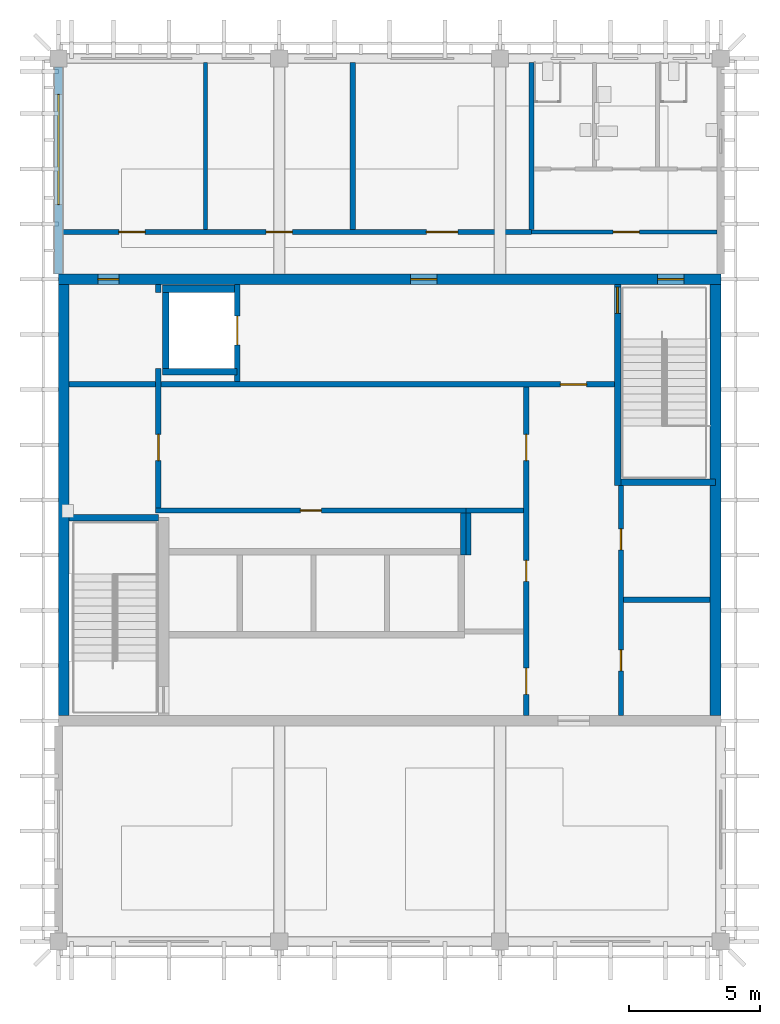
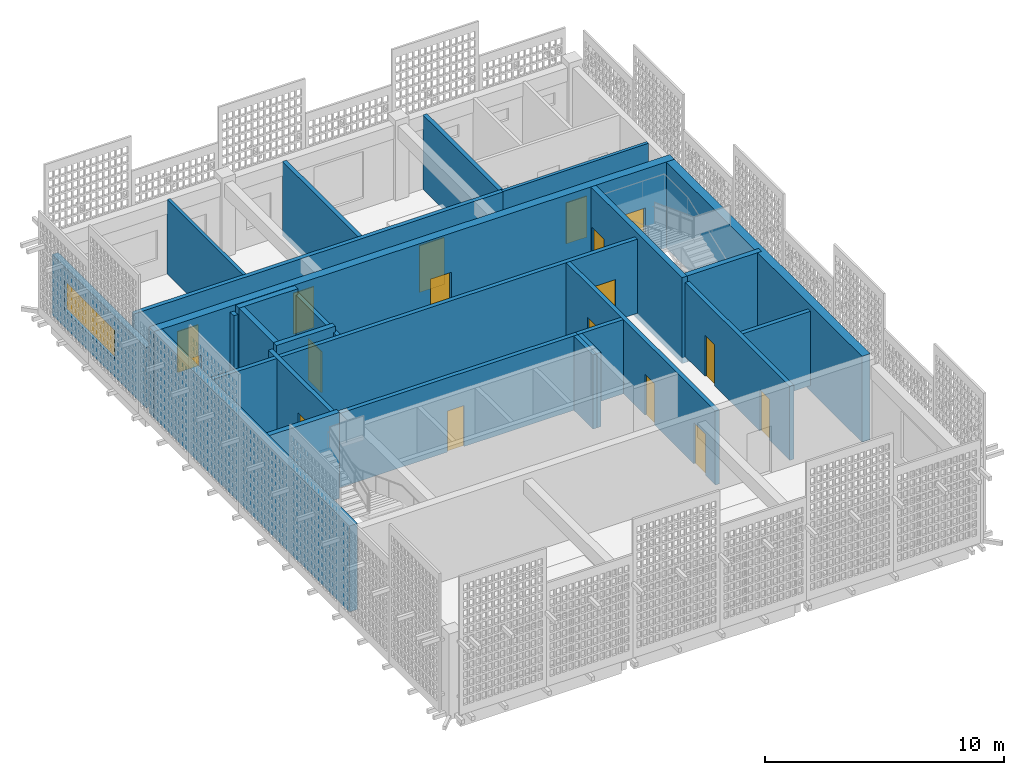
# One storey, part 2 of 23: 26 walls, 17 doors, 1 window, 18 openings.
"""IFC4 building model written with IfcOpenShell, lengths in metres."""

from ifc_helpers import new_model, si_unit, direction, frame, frame_2d, origin, place, context, subcontext, project, spatial, rectangle, extrude, material, layer, layer_set, type_object, element, fill, save


model = new_model("IFC4")

# Units and contexts
model_context = context("Model", 3, precision=1e-05, world=origin(), true_north=direction((0.0, 1.0)))
body_context = subcontext(model_context, "Body", "Model", "MODEL_VIEW")
ifc_project = project(units=[si_unit("LENGTHUNIT", "METRE"), si_unit("AREAUNIT", "SQUARE_METRE"), si_unit("VOLUMEUNIT", "CUBIC_METRE"), si_unit("PLANEANGLEUNIT", "RADIAN"), si_unit("MASSUNIT", "GRAM", prefix="KILO")], contexts=[model_context])

# Site, building, storey
site_placement = place(None, origin())
site = spatial("IfcSite", under=ifc_project, at=site_placement, CompositionType="ELEMENT")
building_placement = place(site_placement, origin())
building = spatial("IfcBuilding", under=site, at=building_placement, Name="Rulbaag Community and Learning Centre", CompositionType="ELEMENT")
storey_placement = place(building_placement, frame((0.0, 0.0, 64.800048828125)))
storey = spatial("IfcBuildingStorey", under=building, at=storey_placement, Name="L17", CompositionType="ELEMENT", Elevation=64.800048828125)

# Wall, opening, window
ifc_material_1 = material(Name="Concrete M40", Category="concrete")
ifc_layer_1 = layer(ifc_material_1, 0.300048828125)
ifc_layer_set_1 = layer_set([ifc_layer_1], Name="EW-CONC300-120")
wall_type_1 = type_object("IfcWallType", Name="EW-CONC300-120", PredefinedType="STANDARD", material=ifc_layer_set_1)
wall_1_placement = place(storey_placement, frame((142.800048828125, 109.39990234375, 0.0), z_axis=(0.0, 0.0, 1.0), x_axis=(0.0, 1.0, 0.0)))
wall_1 = element("IfcWall", 1, at=wall_1_placement, inside=storey, type_object=wall_type_1, Name="Board-marked concrete cladding wall BW", PredefinedType="STANDARD", context=body_context, shape_type="SweptSolid", body=[
    extrude(rectangle(XDim=7.875, YDim=0.300048828125, at=frame_2d((3.9375, 0.0))), origin(), (0.0, 0.0, 1.0), 3.099853515625),
])
opening_1_placement = place(wall_1_placement, frame((2.637451171875, 0.0, 0.89990234375)))
opening_1 = element("IfcOpeningElement", 2, at=opening_1_placement, cuts=wall_1, Name="Opening WN4", PredefinedType="OPENING", context=body_context, shape_type="SweptSolid", body=[
    extrude(rectangle(XDim=4.199951171875, YDim=1.5, at=frame_2d((2.10009765625, 0.75))), frame((0.0, 0.159912109375, 0.0), z_axis=(0.0, -1.0, 0.0), x_axis=(1.0, 0.0, 0.0)), (0.0, 0.0, 1.0), 0.320068359375),
])
ifc_material_2 = material(Name="Aluminium", Category="aluminium")
window_type = type_object("IfcWindowType", Name="WN-42", PartitioningType="TRIPLE_PANEL_VERTICAL", PredefinedType="WINDOW", material=ifc_material_2)
window_placement = place(opening_1_placement, origin())
window = element("IfcWindow", 3, at=window_placement, inside=storey, type_object=window_type, Name="Window WN4", OverallHeight=1.5, OverallWidth=4.199951171875, PartitioningType="SINGLE_PANEL", PredefinedType="WINDOW", context=body_context, shape_type="SweptSolid", body=[
    extrude(rectangle(XDim=4.199951171875, YDim=1.5, at=frame_2d((2.10009765625, 0.75))), frame((0.0, 0.030029296875, 0.0), z_axis=(0.0, -1.0, 0.0), x_axis=(1.0, 0.0, 0.0)), (0.0, 0.0, 1.0), 0.06005859375),
])
fill(opening_1, window)

# Wall
ifc_material_3 = material(Name="Concrete blockwork", Category="masonry")
ifc_layer_2 = layer(ifc_material_3, 0.199951171875)
ifc_layer_set_2 = layer_set([ifc_layer_2], Name="FW-200 FIRE WALL 200")
wall_type_2 = type_object("IfcWallType", Name="FW-200 FIRE WALL 200", PredefinedType="SOLIDWALL", material=ifc_layer_set_2)
wall_2_placement = place(storey_placement, frame((164.300048828125, 97.0, 0.0), z_axis=(0.0, 0.0, 1.0), x_axis=(1.0, 0.0, 0.0)))
element("IfcWall", 4, at=wall_2_placement, inside=storey, type_object=wall_type_2, Name="Fire wall L17 3", PredefinedType="SOLIDWALL", context=body_context, shape_type="SweptSolid", body=[
    extrude(rectangle(XDim=3.300048828125, YDim=0.199951171875, at=frame_2d((1.64990234375, 0.0))), origin(), (0.0, 0.0, 1.0), 3.800048828125),
])

# Wall, opening, door
wall_3_placement = place(storey_placement, frame((146.5, 100.39990234375, 0.0), z_axis=(0.0, 0.0, 1.0), x_axis=(1.0, 0.0, 0.0)))
wall_3 = element("IfcWall", 5, at=wall_3_placement, inside=storey, type_object=wall_type_2, Name="Fire wall L17 5", PredefinedType="SOLIDWALL", context=body_context, shape_type="SweptSolid", body=[
    extrude(rectangle(XDim=11.800048828125, YDim=0.199951171875, at=frame_2d((5.89990234375, 0.0))), origin(), (0.0, 0.0, 1.0), 3.800048828125),
])
opening_2_placement = place(wall_3_placement, frame((5.5, 0.0, 0.0)))
opening_2 = element("IfcOpeningElement", 6, at=opening_2_placement, cuts=wall_3, Name="Opening L17-D007", PredefinedType="OPENING", context=body_context, shape_type="SweptSolid", body=[
    extrude(rectangle(XDim=0.800048828125, YDim=2.10009765625, at=frame_2d((0.39990234375, 1.050048828125))), frame((0.0, 0.10986328125, 0.0), z_axis=(0.0, -1.0, 0.0), x_axis=(1.0, 0.0, 0.0)), (0.0, 0.0, 1.0), 0.219970703125),
])
ifc_material_4 = material(Name="Galvanised steel", Category="steel")
door_type_1 = type_object("IfcDoorType", Name="FDR-800 RISER FIRE DOOR 800 x 2100", OperationType="SINGLE_SWING_LEFT", PredefinedType="DOOR", material=ifc_material_4)
door_1_placement = place(opening_2_placement, origin())
door_1 = element("IfcDoor", 7, at=door_1_placement, inside=storey, type_object=door_type_1, Name="Riser door L17-D015", OperationType="SINGLE_SWING_LEFT", OverallHeight=2.10009765625, OverallWidth=0.800048828125, PredefinedType="DOOR", context=body_context, shape_type="SweptSolid", body=[
    extrude(rectangle(XDim=0.800048828125, YDim=2.10009765625, at=frame_2d((0.39990234375, 1.050048828125))), frame((0.0, 0.02490234375, 0.0), z_axis=(0.0, -1.0, 0.0), x_axis=(1.0, 0.0, 0.0)), (0.0, 0.0, 1.0), 0.050048828125),
])
fill(opening_2, door_1)

# Wall
wall_4_placement = place(storey_placement, frame((158.300048828125, 100.39990234375, 0.0), z_axis=(0.0, 0.0, 1.0), x_axis=(1.0, 0.0, 0.0)))
element("IfcWall", 8, at=wall_4_placement, inside=storey, type_object=wall_type_2, Name="Fire wall L17 6", PredefinedType="SOLIDWALL", context=body_context, shape_type="SweptSolid", body=[
    extrude(rectangle(XDim=2.199951171875, YDim=0.199951171875, at=frame_2d((1.10009765625, 0.0))), origin(), (0.0, 0.0, 1.0), 3.800048828125),
])

# Wall, opening, door
wall_5_placement = place(storey_placement, frame((143.199951171875, 105.199951171875, 0.0), z_axis=(0.0, 0.0, 1.0), x_axis=(1.0, 0.0, 0.0)))
wall_5 = element("IfcWall", 9, at=wall_5_placement, inside=storey, type_object=wall_type_2, Name="Fire wall L17 7", PredefinedType="SOLIDWALL", context=body_context, shape_type="SweptSolid", body=[
    extrude(rectangle(XDim=20.75, YDim=0.199951171875, at=frame_2d((10.375, 0.0))), origin(), (0.0, 0.0, 1.0), 3.800048828125),
])
opening_3_placement = place(wall_5_placement, frame((18.699951171875, 0.0, 0.0)))
opening_3 = element("IfcOpeningElement", 10, at=opening_3_placement, cuts=wall_5, Name="Opening L17-D016", PredefinedType="OPENING", context=body_context, shape_type="SweptSolid", body=[
    extrude(rectangle(XDim=1.0, YDim=2.10009765625, at=frame_2d((0.5, 1.050048828125))), frame((0.0, 0.10986328125, 0.0), z_axis=(0.0, -1.0, 0.0), x_axis=(1.0, 0.0, 0.0)), (0.0, 0.0, 1.0), 0.219970703125),
])
door_type_2 = type_object("IfcDoorType", Name="FD-1000 FIRE DOOR 1000 x 2100", OperationType="SINGLE_SWING_LEFT", PredefinedType="DOOR", material=ifc_material_4)
door_2_placement = place(opening_3_placement, origin())
door_2 = element("IfcDoor", 11, at=door_2_placement, inside=storey, type_object=door_type_2, Name="Door L17-D016", OperationType="SINGLE_SWING_LEFT", OverallHeight=2.10009765625, OverallWidth=1.0, PredefinedType="DOOR", context=body_context, shape_type="SweptSolid", body=[
    extrude(rectangle(XDim=1.0, YDim=2.10009765625, at=frame_2d((0.5, 1.050048828125))), frame((0.0, 0.02490234375, 0.0), z_axis=(0.0, -1.0, 0.0), x_axis=(1.0, 0.0, 0.0)), (0.0, 0.0, 1.0), 0.050048828125),
])
fill(opening_3, door_2)

# Wall, openings, doors
wall_6_placement = place(storey_placement, frame((142.949951171875, 111.0, 0.0), z_axis=(0.0, 0.0, 1.0), x_axis=(1.0, 0.0, 0.0)))
wall_6 = element("IfcWall", 12, at=wall_6_placement, inside=storey, type_object=wall_type_2, Name="Fire wall L17 8", PredefinedType="SOLIDWALL", context=body_context, shape_type="SweptSolid", body=[
    extrude(rectangle(XDim=17.85009765625, YDim=0.199951171875, at=frame_2d((8.925048828125, 0.0))), origin(), (0.0, 0.0, 1.0), 3.800048828125),
])
opening_4_placement = place(wall_6_placement, frame((2.14990234375, 0.0, 0.0)))
opening_4 = element("IfcOpeningElement", 13, at=opening_4_placement, cuts=wall_6, Name="Opening L17-D002", PredefinedType="OPENING", context=body_context, shape_type="SweptSolid", body=[
    extrude(rectangle(XDim=1.0, YDim=2.10009765625, at=frame_2d((0.5, 1.050048828125))), frame((0.0, 0.10986328125, 0.0), z_axis=(0.0, -1.0, 0.0), x_axis=(1.0, 0.0, 0.0)), (0.0, 0.0, 1.0), 0.219970703125),
])
opening_5_placement = place(wall_6_placement, frame((7.75, 0.0, 0.0)))
opening_5 = element("IfcOpeningElement", 14, at=opening_5_placement, cuts=wall_6, Name="Opening L17-D006", PredefinedType="OPENING", context=body_context, shape_type="SweptSolid", body=[
    extrude(rectangle(XDim=1.0, YDim=2.10009765625, at=frame_2d((0.5, 1.050048828125))), frame((0.0, 0.10986328125, 0.0), z_axis=(0.0, -1.0, 0.0), x_axis=(1.0, 0.0, 0.0)), (0.0, 0.0, 1.0), 0.219970703125),
])
opening_6_placement = place(wall_6_placement, frame((13.85009765625, 0.0, 0.0)))
opening_6 = element("IfcOpeningElement", 15, at=opening_6_placement, cuts=wall_6, Name="Opening L17-D009", PredefinedType="OPENING", context=body_context, shape_type="SweptSolid", body=[
    extrude(rectangle(XDim=1.199951171875, YDim=2.39990234375, at=frame_2d((0.60009765625, 1.199951171875))), frame((0.0, 0.10986328125, 0.0), z_axis=(0.0, -1.0, 0.0), x_axis=(1.0, 0.0, 0.0)), (0.0, 0.0, 1.0), 0.219970703125),
])
door_type_3 = type_object("IfcDoorType", Name="DP-1200 PLANT ROOM DOOR 1200 x 2400", OperationType="SINGLE_SWING_LEFT", PredefinedType="DOOR", material=ifc_material_4)
door_3_placement = place(opening_6_placement, origin())
door_3 = element("IfcDoor", 16, at=door_3_placement, inside=storey, type_object=door_type_3, Name="Door L17-D009", OperationType="SINGLE_SWING_LEFT", OverallHeight=2.39990234375, OverallWidth=1.199951171875, PredefinedType="DOOR", context=body_context, shape_type="SweptSolid", body=[
    extrude(rectangle(XDim=1.199951171875, YDim=2.39990234375, at=frame_2d((0.60009765625, 1.199951171875))), frame((0.0, 0.02490234375, 0.0), z_axis=(0.0, -1.0, 0.0), x_axis=(1.0, 0.0, 0.0)), (0.0, 0.0, 1.0), 0.050048828125),
])
fill(opening_6, door_3)
door_4_placement = place(opening_4_placement, origin())
door_4 = element("IfcDoor", 17, at=door_4_placement, inside=storey, type_object=door_type_2, Name="Door L17-D002", OperationType="SINGLE_SWING_RIGHT", OverallHeight=2.10009765625, OverallWidth=1.0, PredefinedType="DOOR", context=body_context, shape_type="SweptSolid", body=[
    extrude(rectangle(XDim=1.0, YDim=2.10009765625, at=frame_2d((0.5, 1.050048828125))), frame((0.0, 0.02490234375, 0.0), z_axis=(0.0, -1.0, 0.0), x_axis=(1.0, 0.0, 0.0)), (0.0, 0.0, 1.0), 0.050048828125),
])
fill(opening_4, door_4)
door_5_placement = place(opening_5_placement, origin())
door_5 = element("IfcDoor", 18, at=door_5_placement, inside=storey, type_object=door_type_2, Name="Door L17-D006", OperationType="SINGLE_SWING_RIGHT", OverallHeight=2.10009765625, OverallWidth=1.0, PredefinedType="DOOR", context=body_context, shape_type="SweptSolid", body=[
    extrude(rectangle(XDim=1.0, YDim=2.10009765625, at=frame_2d((0.5, 1.050048828125))), frame((0.0, 0.02490234375, 0.0), z_axis=(0.0, -1.0, 0.0), x_axis=(1.0, 0.0, 0.0)), (0.0, 0.0, 1.0), 0.050048828125),
])
fill(opening_5, door_5)

# Wall, opening, door
wall_7_placement = place(storey_placement, frame((146.60009765625, 100.5, 0.0), z_axis=(0.0, 0.0, 1.0), x_axis=(0.0, 1.0, 0.0)))
wall_7 = element("IfcWall", 19, at=wall_7_placement, inside=storey, type_object=wall_type_2, Name="Fire wall L17 11", PredefinedType="SOLIDWALL", context=body_context, shape_type="SweptSolid", body=[
    extrude(rectangle(XDim=5.300048828125, YDim=0.199951171875, at=frame_2d((2.64990234375, 0.0))), origin(), (0.0, 0.0, 1.0), 3.800048828125),
])
opening_7_placement = place(wall_7_placement, frame((1.800048828125, 0.0, 0.0)))
opening_7 = element("IfcOpeningElement", 20, at=opening_7_placement, cuts=wall_7, Name="Opening L17-D003", PredefinedType="OPENING", context=body_context, shape_type="SweptSolid", body=[
    extrude(rectangle(XDim=1.0, YDim=2.10009765625, at=frame_2d((0.5, 1.050048828125))), frame((0.0, 0.10986328125, 0.0), z_axis=(0.0, -1.0, 0.0), x_axis=(1.0, 0.0, 0.0)), (0.0, 0.0, 1.0), 0.219970703125),
])
door_6_placement = place(opening_7_placement, origin())
door_6 = element("IfcDoor", 21, at=door_6_placement, inside=storey, type_object=door_type_2, Name="Door L17-D003", OperationType="SINGLE_SWING_LEFT", OverallHeight=2.10009765625, OverallWidth=1.0, PredefinedType="DOOR", context=body_context, shape_type="SweptSolid", body=[
    extrude(rectangle(XDim=1.0, YDim=2.10009765625, at=frame_2d((0.5, 1.050048828125))), frame((0.0, 0.02490234375, 0.0), z_axis=(0.0, -1.0, 0.0), x_axis=(1.0, 0.0, 0.0)), (0.0, 0.0, 1.0), 0.050048828125),
])
fill(opening_7, door_6)

# Wall
wall_8_placement = place(storey_placement, frame((146.60009765625, 108.699951171875, 0.0), z_axis=(0.0, 0.0, 1.0), x_axis=(0.0, 1.0, 0.0)))
element("IfcWall", 22, at=wall_8_placement, inside=storey, type_object=wall_type_2, Name="Fire wall L17 12", PredefinedType="SOLIDWALL", context=body_context, shape_type="SweptSolid", body=[
    extrude(rectangle(XDim=0.300048828125, YDim=0.199951171875, at=frame_2d((0.14990234375, 0.0))), origin(), (0.0, 0.0, 1.0), 3.800048828125),
])

# Wall, opening, door
wall_9_placement = place(storey_placement, frame((149.60009765625, 105.300048828125, 0.0), z_axis=(0.0, 0.0, 1.0), x_axis=(0.0, 1.0, 0.0)))
wall_9 = element("IfcWall", 23, at=wall_9_placement, inside=storey, type_object=wall_type_2, Name="Fire wall L17 14", PredefinedType="SOLIDWALL", context=body_context, shape_type="SweptSolid", body=[
    extrude(rectangle(XDim=3.699951171875, YDim=0.199951171875, at=frame_2d((1.85009765625, 0.0))), origin(), (0.0, 0.0, 1.0), 3.800048828125),
])
opening_8_placement = place(wall_9_placement, frame((1.39990234375, 0.0, 0.0)))
opening_8 = element("IfcOpeningElement", 24, at=opening_8_placement, cuts=wall_9, Name="Opening L17-D005", PredefinedType="OPENING", context=body_context, shape_type="SweptSolid", body=[
    extrude(rectangle(XDim=1.10009765625, YDim=2.10009765625, at=frame_2d((0.550048828125, 1.050048828125))), frame((0.0, 0.10986328125, 0.0), z_axis=(0.0, -1.0, 0.0), x_axis=(1.0, 0.0, 0.0)), (0.0, 0.0, 1.0), 0.219970703125),
])
ifc_material_5 = material(Name="Stainless steel grade 304", Category="steel")
door_type_4 = type_object("IfcDoorType", Name="LD-1100 LIFT LANDING DOOR 1100 x 2100", OperationType="SLIDING_TO_LEFT", PredefinedType="DOOR", material=ifc_material_5)
door_7_placement = place(opening_8_placement, origin())
door_7 = element("IfcDoor", 25, at=door_7_placement, inside=storey, type_object=door_type_4, Name="Lift landing door LF1 L17", OperationType="SLIDING_TO_LEFT", OverallHeight=2.10009765625, OverallWidth=1.10009765625, PredefinedType="DOOR", context=body_context, shape_type="SweptSolid", body=[
    extrude(rectangle(XDim=1.10009765625, YDim=2.10009765625, at=frame_2d((0.550048828125, 1.050048828125))), frame((0.0, 0.02490234375, 0.0), z_axis=(0.0, -1.0, 0.0), x_axis=(1.0, 0.0, 0.0)), (0.0, 0.0, 1.0), 0.050048828125),
])
fill(opening_8, door_7)

# Walls
wall_10_placement = place(storey_placement, frame((154.0, 111.10009765625, 0.0), z_axis=(0.0, 0.0, 1.0), x_axis=(0.0, 1.0, 0.0)))
element("IfcWall", 26, at=wall_10_placement, inside=storey, type_object=wall_type_2, Name="Fire wall L17 15", PredefinedType="SOLIDWALL", context=body_context, shape_type="SweptSolid", body=[
    extrude(rectangle(XDim=6.349853515625, YDim=0.199951171875, at=frame_2d((3.1748046875, 0.0))), origin(), (0.0, 0.0, 1.0), 3.800048828125),
])
for number, where, z_axis, x_axis, name in (
    (27, (158.199951171875, 98.699951171875, 0.0), (0.0, 0.0, 1.0), (0.0, 1.0, 0.0), "Fire wall L17 16"),
    (28, (158.39990234375, 98.699951171875, 0.0), (0.0, 0.0, 1.0), (0.0, 1.0, 0.0), "Fire wall L17 17"),
):
    element("IfcWall", number, at=place(storey_placement, frame(where, z_axis=z_axis, x_axis=x_axis)), inside=storey, type_object=wall_type_2, Name=name, PredefinedType="SOLIDWALL", context=body_context, shape_type="SweptSolid", body=[
        extrude(rectangle(XDim=1.60009765625, YDim=0.199951171875, at=frame_2d((0.800048828125, 0.0))), origin(), (0.0, 0.0, 1.0), 3.800048828125),
    ])

# Wall, openings, doors
wall_11_placement = place(storey_placement, frame((160.60009765625, 92.60009765625, 0.0), z_axis=(0.0, 0.0, 1.0), x_axis=(0.0, 1.0, 0.0)))
wall_11 = element("IfcWall", 29, at=wall_11_placement, inside=storey, type_object=wall_type_2, Name="Fire wall L17 18", PredefinedType="SOLIDWALL", context=body_context, shape_type="SweptSolid", body=[
    extrude(rectangle(XDim=12.5, YDim=0.199951171875, at=frame_2d((6.25, 0.0))), origin(), (0.0, 0.0, 1.0), 3.800048828125),
])
opening_9_placement = place(wall_11_placement, frame((5.10009765625, 0.0, 0.0)))
opening_9 = element("IfcOpeningElement", 30, at=opening_9_placement, cuts=wall_11, Name="Opening L17-D011", PredefinedType="OPENING", context=body_context, shape_type="SweptSolid", body=[
    extrude(rectangle(XDim=0.800048828125, YDim=2.10009765625, at=frame_2d((0.39990234375, 1.050048828125))), frame((0.0, 0.10986328125, 0.0), z_axis=(0.0, -1.0, 0.0), x_axis=(1.0, 0.0, 0.0)), (0.0, 0.0, 1.0), 0.219970703125),
])
opening_10_placement = place(wall_11_placement, frame((9.699951171875, 0.0, 0.0)))
opening_10 = element("IfcOpeningElement", 31, at=opening_10_placement, cuts=wall_11, Name="Opening L17-D012", PredefinedType="OPENING", context=body_context, shape_type="SweptSolid", body=[
    extrude(rectangle(XDim=1.0, YDim=2.10009765625, at=frame_2d((0.5, 1.050048828125))), frame((0.0, 0.10986328125, 0.0), z_axis=(0.0, -1.0, 0.0), x_axis=(1.0, 0.0, 0.0)), (0.0, 0.0, 1.0), 0.219970703125),
])
opening_11_placement = place(wall_11_placement, frame((0.800048828125, 0.0, 0.0)))
opening_11 = element("IfcOpeningElement", 32, at=opening_11_placement, cuts=wall_11, Name="Opening L17-D010", PredefinedType="OPENING", context=body_context, shape_type="SweptSolid", body=[
    extrude(rectangle(XDim=1.0, YDim=2.10009765625, at=frame_2d((0.5, 1.050048828125))), frame((0.0, 0.10986328125, 0.0), z_axis=(0.0, -1.0, 0.0), x_axis=(1.0, 0.0, 0.0)), (0.0, 0.0, 1.0), 0.219970703125),
])
door_8_placement = place(opening_10_placement, origin())
door_8 = element("IfcDoor", 33, at=door_8_placement, inside=storey, type_object=door_type_2, Name="Door L17-D012", OperationType="SINGLE_SWING_LEFT", OverallHeight=2.10009765625, OverallWidth=1.0, PredefinedType="DOOR", context=body_context, shape_type="SweptSolid", body=[
    extrude(rectangle(XDim=1.0, YDim=2.10009765625, at=frame_2d((0.5, 1.050048828125))), frame((0.0, 0.02490234375, 0.0), z_axis=(0.0, -1.0, 0.0), x_axis=(1.0, 0.0, 0.0)), (0.0, 0.0, 1.0), 0.050048828125),
])
fill(opening_10, door_8)
door_9_placement = place(opening_11_placement, origin())
door_9 = element("IfcDoor", 34, at=door_9_placement, inside=storey, type_object=door_type_2, Name="Door L17-D010", OperationType="SINGLE_SWING_LEFT", OverallHeight=2.10009765625, OverallWidth=1.0, PredefinedType="DOOR", context=body_context, shape_type="SweptSolid", body=[
    extrude(rectangle(XDim=1.0, YDim=2.10009765625, at=frame_2d((0.5, 1.050048828125))), frame((0.0, 0.02490234375, 0.0), z_axis=(0.0, -1.0, 0.0), x_axis=(1.0, 0.0, 0.0)), (0.0, 0.0, 1.0), 0.050048828125),
])
fill(opening_11, door_9)
door_10_placement = place(opening_9_placement, origin())
door_10 = element("IfcDoor", 35, at=door_10_placement, inside=storey, type_object=door_type_1, Name="Riser door L17-D014", OperationType="SINGLE_SWING_RIGHT", OverallHeight=2.10009765625, OverallWidth=0.800048828125, PredefinedType="DOOR", context=body_context, shape_type="SweptSolid", body=[
    extrude(rectangle(XDim=0.800048828125, YDim=2.10009765625, at=frame_2d((0.39990234375, 1.050048828125))), frame((0.0, 0.02490234375, 0.0), z_axis=(0.0, -1.0, 0.0), x_axis=(1.0, 0.0, 0.0)), (0.0, 0.0, 1.0), 0.050048828125),
])
fill(opening_9, door_10)

# Wall
wall_12_placement = place(storey_placement, frame((160.800048828125, 111.10009765625, 0.0), z_axis=(0.0, 0.0, 1.0), x_axis=(0.0, 1.0, 0.0)))
element("IfcWall", 36, at=wall_12_placement, inside=storey, type_object=wall_type_2, Name="Fire wall L17 19", PredefinedType="SOLIDWALL", context=body_context, shape_type="SweptSolid", body=[
    extrude(rectangle(XDim=6.349853515625, YDim=0.199951171875, at=frame_2d((3.1748046875, 0.0))), origin(), (0.0, 0.0, 1.0), 3.800048828125),
])

# Wall, openings, doors
wall_13_placement = place(storey_placement, frame((164.199951171875, 92.60009765625, 0.0), z_axis=(0.0, 0.0, 1.0), x_axis=(0.0, 1.0, 0.0)))
wall_13 = element("IfcWall", 37, at=wall_13_placement, inside=storey, type_object=wall_type_2, Name="Fire wall L17 21", PredefinedType="SOLIDWALL", context=body_context, shape_type="SweptSolid", body=[
    extrude(rectangle(XDim=8.75, YDim=0.199951171875, at=frame_2d((4.375, 0.0))), origin(), (0.0, 0.0, 1.0), 3.800048828125),
])
opening_12_placement = place(wall_13_placement, frame((1.699951171875, 0.0, 0.0)))
opening_12 = element("IfcOpeningElement", 38, at=opening_12_placement, cuts=wall_13, Name="Opening L17-D018", PredefinedType="OPENING", context=body_context, shape_type="SweptSolid", body=[
    extrude(rectangle(XDim=0.800048828125, YDim=2.10009765625, at=frame_2d((0.39990234375, 1.050048828125))), frame((0.0, 0.10986328125, 0.0), z_axis=(0.0, -1.0, 0.0), x_axis=(1.0, 0.0, 0.0)), (0.0, 0.0, 1.0), 0.219970703125),
])
opening_13_placement = place(wall_13_placement, frame((6.300048828125, 0.0, 0.0)))
opening_13 = element("IfcOpeningElement", 39, at=opening_13_placement, cuts=wall_13, Name="Opening L17-D019", PredefinedType="OPENING", context=body_context, shape_type="SweptSolid", body=[
    extrude(rectangle(XDim=0.800048828125, YDim=2.10009765625, at=frame_2d((0.39990234375, 1.050048828125))), frame((0.0, 0.10986328125, 0.0), z_axis=(0.0, -1.0, 0.0), x_axis=(1.0, 0.0, 0.0)), (0.0, 0.0, 1.0), 0.219970703125),
])
door_11_placement = place(opening_12_placement, origin())
door_11 = element("IfcDoor", 40, at=door_11_placement, inside=storey, type_object=door_type_1, Name="Riser door L17-D012", OperationType="SINGLE_SWING_LEFT", OverallHeight=2.10009765625, OverallWidth=0.800048828125, PredefinedType="DOOR", context=body_context, shape_type="SweptSolid", body=[
    extrude(rectangle(XDim=0.800048828125, YDim=2.10009765625, at=frame_2d((0.39990234375, 1.050048828125))), frame((0.0, 0.02490234375, 0.0), z_axis=(0.0, -1.0, 0.0), x_axis=(1.0, 0.0, 0.0)), (0.0, 0.0, 1.0), 0.050048828125),
])
fill(opening_12, door_11)
door_12_placement = place(opening_13_placement, origin())
door_12 = element("IfcDoor", 41, at=door_12_placement, inside=storey, type_object=door_type_1, Name="Riser door L17-D013", OperationType="SINGLE_SWING_RIGHT", OverallHeight=2.10009765625, OverallWidth=0.800048828125, PredefinedType="DOOR", context=body_context, shape_type="SweptSolid", body=[
    extrude(rectangle(XDim=0.800048828125, YDim=2.10009765625, at=frame_2d((0.39990234375, 1.050048828125))), frame((0.0, 0.02490234375, 0.0), z_axis=(0.0, -1.0, 0.0), x_axis=(1.0, 0.0, 0.0)), (0.0, 0.0, 1.0), 0.050048828125),
])
fill(opening_13, door_12)

# Wall, opening, door
ifc_layer_3 = layer(ifc_material_3, 0.14990234375)
ifc_layer_set_3 = layer_set([ifc_layer_3], Name="IP-150 PARTITION 150")
wall_type_3 = type_object("IfcWallType", Name="IP-150 PARTITION 150", PredefinedType="PARTITIONING", material=ifc_layer_set_3)
wall_14_placement = place(storey_placement, frame((160.800048828125, 111.0, 0.0), z_axis=(0.0, 0.0, 1.0), x_axis=(1.0, 0.0, 0.0)))
wall_14 = element("IfcWall", 42, at=wall_14_placement, inside=storey, type_object=wall_type_3, Name="Partition L17 9", PredefinedType="PARTITIONING", context=body_context, shape_type="SweptSolid", body=[
    extrude(rectangle(XDim=7.050048828125, YDim=0.14990234375, at=frame_2d((3.52490234375, 0.0))), origin(), (0.0, 0.0, 1.0), 3.800048828125),
])
opening_14_placement = place(wall_14_placement, frame((3.10009765625, 0.0, 0.0)))
opening_14 = element("IfcOpeningElement", 43, at=opening_14_placement, cuts=wall_14, Name="Opening L17-D020", PredefinedType="OPENING", context=body_context, shape_type="SweptSolid", body=[
    extrude(rectangle(XDim=1.0, YDim=2.10009765625, at=frame_2d((0.5, 1.050048828125))), frame((0.0, 0.0849609375, 0.0), z_axis=(0.0, -1.0, 0.0), x_axis=(1.0, 0.0, 0.0)), (0.0, 0.0, 1.0), 0.169921875),
])
ifc_material_6 = material(Name="Timber", Category="wood")
door_type_5 = type_object("IfcDoorType", Name="D-1000 DOOR 1000 x 2100", OperationType="SINGLE_SWING_LEFT", PredefinedType="DOOR", material=ifc_material_6)
door_13_placement = place(opening_14_placement, origin())
door_13 = element("IfcDoor", 44, at=door_13_placement, inside=storey, type_object=door_type_5, Name="Door L17-D020", OperationType="SINGLE_SWING_RIGHT", OverallHeight=2.10009765625, OverallWidth=1.0, PredefinedType="DOOR", context=body_context, shape_type="SweptSolid", body=[
    extrude(rectangle(XDim=1.0, YDim=2.10009765625, at=frame_2d((0.5, 1.050048828125))), frame((0.0, 0.02490234375, 0.0), z_axis=(0.0, -1.0, 0.0), x_axis=(1.0, 0.0, 0.0)), (0.0, 0.0, 1.0), 0.050048828125),
])
fill(opening_14, door_13)

# Walls
wall_15_placement = place(storey_placement, frame((148.39990234375, 111.10009765625, 0.0), z_axis=(0.0, 0.0, 1.0), x_axis=(0.0, 1.0, 0.0)))
element("IfcWall", 45, at=wall_15_placement, inside=storey, type_object=wall_type_3, Name="Partition L17 13", PredefinedType="PARTITIONING", context=body_context, shape_type="SweptSolid", body=[
    extrude(rectangle(XDim=6.349853515625, YDim=0.14990234375, at=frame_2d((3.1748046875, 0.0))), origin(), (0.0, 0.0, 1.0), 3.800048828125),
])
ifc_layer_4 = layer(ifc_material_1, 0.27490234375)
ifc_layer_set_4 = layer_set([ifc_layer_4], Name="W16 Shaft wall 275 Concrete M40")
wall_type_4 = type_object("IfcWallType", Name="W16 Shaft wall 275 Concrete M40", PredefinedType="SHEAR", material=ifc_layer_set_4)
wall_16_placement = place(storey_placement, frame((146.75, 108.83740234375, -0.300048828125), z_axis=(0.0, 0.0, 1.0), x_axis=(1.0, 0.0, 0.0)))
element("IfcWall", 46, at=wall_16_placement, inside=storey, type_object=wall_type_4, Name="WL-LF-N-L17", PredefinedType="SHEAR", context=body_context, shape_type="SweptSolid", body=[
    extrude(rectangle(XDim=2.85009765625, YDim=0.27490234375, at=frame_2d((1.425048828125, 0.0))), origin(), (0.0, 0.0, 1.0), 4.39990234375),
])

# Wall, openings, doors
ifc_material_7 = material(Name="Concrete M60", Category="concrete")
ifc_layer_5 = layer(ifc_material_7, 0.39990234375)
ifc_layer_set_5 = layer_set([ifc_layer_5], Name="W2 Core wall 400 Concrete M60")
wall_type_5 = type_object("IfcWallType", Name="W2 Core wall 400 Concrete M60", PredefinedType="SHEAR", material=ifc_layer_set_5)
wall_17_placement = place(storey_placement, frame((142.800048828125, 109.199951171875, -0.300048828125), z_axis=(0.0, 0.0, 1.0), x_axis=(1.0, 0.0, 0.0)))
wall_17 = element("IfcWall", 47, at=wall_17_placement, inside=storey, type_object=wall_type_5, Name="WL-CORE-N-L17", PredefinedType="SHEAR", context=body_context, shape_type="SweptSolid", body=[
    extrude(rectangle(XDim=25.199951171875, YDim=0.39990234375, at=frame_2d((12.60009765625, 0.0))), origin(), (0.0, 0.0, 1.0), 4.39990234375),
])
opening_15_placement = place(wall_17_placement, frame((22.800048828125, 0.0, 0.300048828125)))
opening_15 = element("IfcOpeningElement", 48, at=opening_15_placement, cuts=wall_17, Name="Opening L17-D022", PredefinedType="OPENING", context=body_context, shape_type="SweptSolid", body=[
    extrude(rectangle(XDim=1.0, YDim=2.10009765625, at=frame_2d((0.5, 1.050048828125))), frame((0.0, 0.2099609375, 0.0), z_axis=(0.0, -1.0, 0.0), x_axis=(1.0, 0.0, 0.0)), (0.0, 0.0, 1.0), 0.419921875),
])
opening_16_placement = place(wall_17_placement, frame((1.5, 0.0, 0.300048828125)))
opening_16 = element("IfcOpeningElement", 49, at=opening_16_placement, cuts=wall_17, Name="Opening L17-D001", PredefinedType="OPENING", context=body_context, shape_type="SweptSolid", body=[
    extrude(rectangle(XDim=0.800048828125, YDim=2.10009765625, at=frame_2d((0.39990234375, 1.050048828125))), frame((0.0, 0.2099609375, 0.0), z_axis=(0.0, -1.0, 0.0), x_axis=(1.0, 0.0, 0.0)), (0.0, 0.0, 1.0), 0.419921875),
])
opening_17_placement = place(wall_17_placement, frame((13.39990234375, 0.0, 0.300048828125)))
opening_17 = element("IfcOpeningElement", 50, at=opening_17_placement, cuts=wall_17, Name="Opening L17-D008", PredefinedType="OPENING", context=body_context, shape_type="SweptSolid", body=[
    extrude(rectangle(XDim=1.0, YDim=2.10009765625, at=frame_2d((0.5, 1.050048828125))), frame((0.0, 0.2099609375, 0.0), z_axis=(0.0, -1.0, 0.0), x_axis=(1.0, 0.0, 0.0)), (0.0, 0.0, 1.0), 0.419921875),
])
door_14_placement = place(opening_15_placement, origin())
door_14 = element("IfcDoor", 51, at=door_14_placement, inside=storey, type_object=door_type_2, Name="Door L17-D022", OperationType="SINGLE_SWING_LEFT", OverallHeight=2.10009765625, OverallWidth=1.0, PredefinedType="DOOR", context=body_context, shape_type="SweptSolid", body=[
    extrude(rectangle(XDim=1.0, YDim=2.10009765625, at=frame_2d((0.5, 1.050048828125))), frame((0.0, 0.02490234375, 0.0), z_axis=(0.0, -1.0, 0.0), x_axis=(1.0, 0.0, 0.0)), (0.0, 0.0, 1.0), 0.050048828125),
])
fill(opening_15, door_14)
door_15_placement = place(opening_17_placement, origin())
door_15 = element("IfcDoor", 52, at=door_15_placement, inside=storey, type_object=door_type_2, Name="Door L17-D008", OperationType="SINGLE_SWING_LEFT", OverallHeight=2.10009765625, OverallWidth=1.0, PredefinedType="DOOR", context=body_context, shape_type="SweptSolid", body=[
    extrude(rectangle(XDim=1.0, YDim=2.10009765625, at=frame_2d((0.5, 1.050048828125))), frame((0.0, 0.02490234375, 0.0), z_axis=(0.0, -1.0, 0.0), x_axis=(1.0, 0.0, 0.0)), (0.0, 0.0, 1.0), 0.050048828125),
])
fill(opening_17, door_15)
door_16_placement = place(opening_16_placement, origin())
door_16 = element("IfcDoor", 53, at=door_16_placement, inside=storey, type_object=door_type_1, Name="Riser door L17-D017", OperationType="SINGLE_SWING_LEFT", OverallHeight=2.10009765625, OverallWidth=0.800048828125, PredefinedType="DOOR", context=body_context, shape_type="SweptSolid", body=[
    extrude(rectangle(XDim=0.800048828125, YDim=2.10009765625, at=frame_2d((0.39990234375, 1.050048828125))), frame((0.0, 0.02490234375, 0.0), z_axis=(0.0, -1.0, 0.0), x_axis=(1.0, 0.0, 0.0)), (0.0, 0.0, 1.0), 0.050048828125),
])
fill(opening_16, door_16)

# Walls
for number, where, z_axis, x_axis, name in (
    (54, (143.0, 92.60009765625, -0.300048828125), (0.0, 0.0, 1.0), (0.0, 1.0, 0.0), "WL-CORE-W-L17"),
    (55, (167.800048828125, 92.60009765625, -0.300048828125), (0.0, 0.0, 1.0), (0.0, 1.0, 0.0), "WL-CORE-E-L17"),
):
    element("IfcWall", number, at=place(storey_placement, frame(where, z_axis=z_axis, x_axis=x_axis)), inside=storey, type_object=wall_type_5, Name=name, PredefinedType="SHEAR", context=body_context, shape_type="SweptSolid", body=[
        extrude(rectangle(XDim=16.39990234375, YDim=0.39990234375, at=frame_2d((8.199951171875, 0.0))), origin(), (0.0, 0.0, 1.0), 4.39990234375),
    ])
ifc_layer_6 = layer(ifc_material_1, 0.25)
ifc_layer_set_6 = layer_set([ifc_layer_6], Name="W5 Shaft wall 250 Concrete M40")
wall_type_6 = type_object("IfcWallType", Name="W5 Shaft wall 250 Concrete M40", PredefinedType="SHEAR", material=ifc_layer_set_6)
wall_18_placement = place(storey_placement, frame((143.199951171875, 100.125, -0.300048828125), z_axis=(0.0, 0.0, 1.0), x_axis=(1.0, 0.0, 0.0)))
element("IfcWall", 56, at=wall_18_placement, inside=storey, type_object=wall_type_6, Name="WL-ST1-N-L17", PredefinedType="SHEAR", context=body_context, shape_type="SweptSolid", body=[
    extrude(rectangle(XDim=3.400146484375, YDim=0.25, at=frame_2d((1.7001953125, 0.0))), origin(), (0.0, 0.0, 1.0), 4.39990234375),
])

# Wall, opening, door
wall_19_placement = place(storey_placement, frame((164.074951171875, 101.35009765625, -0.300048828125), z_axis=(0.0, 0.0, 1.0), x_axis=(0.0, 1.0, 0.0)))
wall_19 = element("IfcWall", 57, at=wall_19_placement, inside=storey, type_object=wall_type_6, Name="WL-ST2-W-L17", PredefinedType="SHEAR", context=body_context, shape_type="SweptSolid", body=[
    extrude(rectangle(XDim=7.64990234375, YDim=0.25, at=frame_2d((3.824951171875, 0.0))), origin(), (0.0, 0.0, 1.0), 4.39990234375),
])
opening_18_placement = place(wall_19_placement, frame((6.550048828125, 0.0, 0.300048828125)))
opening_18 = element("IfcOpeningElement", 58, at=opening_18_placement, cuts=wall_19, Name="Opening L17-D017", PredefinedType="OPENING", context=body_context, shape_type="SweptSolid", body=[
    extrude(rectangle(XDim=1.0, YDim=2.10009765625, at=frame_2d((0.5, 1.050048828125))), frame((0.0, 0.135009765625, 0.0), z_axis=(0.0, -1.0, 0.0), x_axis=(1.0, 0.0, 0.0)), (0.0, 0.0, 1.0), 0.27001953125),
])
door_17_placement = place(opening_18_placement, origin())
door_17 = element("IfcDoor", 59, at=door_17_placement, inside=storey, type_object=door_type_2, Name="Door L17-D017", OperationType="SINGLE_SWING_LEFT", OverallHeight=2.10009765625, OverallWidth=1.0, PredefinedType="DOOR", context=body_context, shape_type="SweptSolid", body=[
    extrude(rectangle(XDim=1.0, YDim=2.10009765625, at=frame_2d((0.5, 1.050048828125))), frame((0.0, 0.02490234375, 0.0), z_axis=(0.0, -1.0, 0.0), x_axis=(1.0, 0.0, 0.0)), (0.0, 0.0, 1.0), 0.050048828125),
])
fill(opening_18, door_17)

# Walls
wall_20_placement = place(storey_placement, frame((164.199951171875, 101.47509765625, -0.300048828125), z_axis=(0.0, 0.0, 1.0), x_axis=(1.0, 0.0, 0.0)))
element("IfcWall", 60, at=wall_20_placement, inside=storey, type_object=wall_type_6, Name="WL-ST2-S-L17", PredefinedType="SHEAR", context=body_context, shape_type="SweptSolid", body=[
    extrude(rectangle(XDim=3.60009765625, YDim=0.25, at=frame_2d((1.800048828125, 0.0))), origin(), (0.0, 0.0, 1.0), 4.39990234375),
])
wall_21_placement = place(storey_placement, frame((146.75, 105.675048828125, -0.300048828125), z_axis=(0.0, 0.0, 1.0), x_axis=(1.0, 0.0, 0.0)))
element("IfcWall", 61, at=wall_21_placement, inside=storey, type_object=wall_type_6, Name="WL-LF-S-L17", PredefinedType="SHEAR", context=body_context, shape_type="SweptSolid", body=[
    extrude(rectangle(XDim=2.85009765625, YDim=0.25, at=frame_2d((1.425048828125, 0.0))), origin(), (0.0, 0.0, 1.0), 4.39990234375),
])
wall_22_placement = place(storey_placement, frame((146.875, 105.800048828125, -0.300048828125), z_axis=(0.0, 0.0, 1.0), x_axis=(0.0, 1.0, 0.0)))
element("IfcWall", 62, at=wall_22_placement, inside=storey, type_object=wall_type_6, Name="WL-LF-W-L17", PredefinedType="SHEAR", context=body_context, shape_type="SweptSolid", body=[
    extrude(rectangle(XDim=2.89990234375, YDim=0.25, at=frame_2d((1.449951171875, 0.0))), origin(), (0.0, 0.0, 1.0), 4.39990234375),
])

save(model, "model.ifc")
